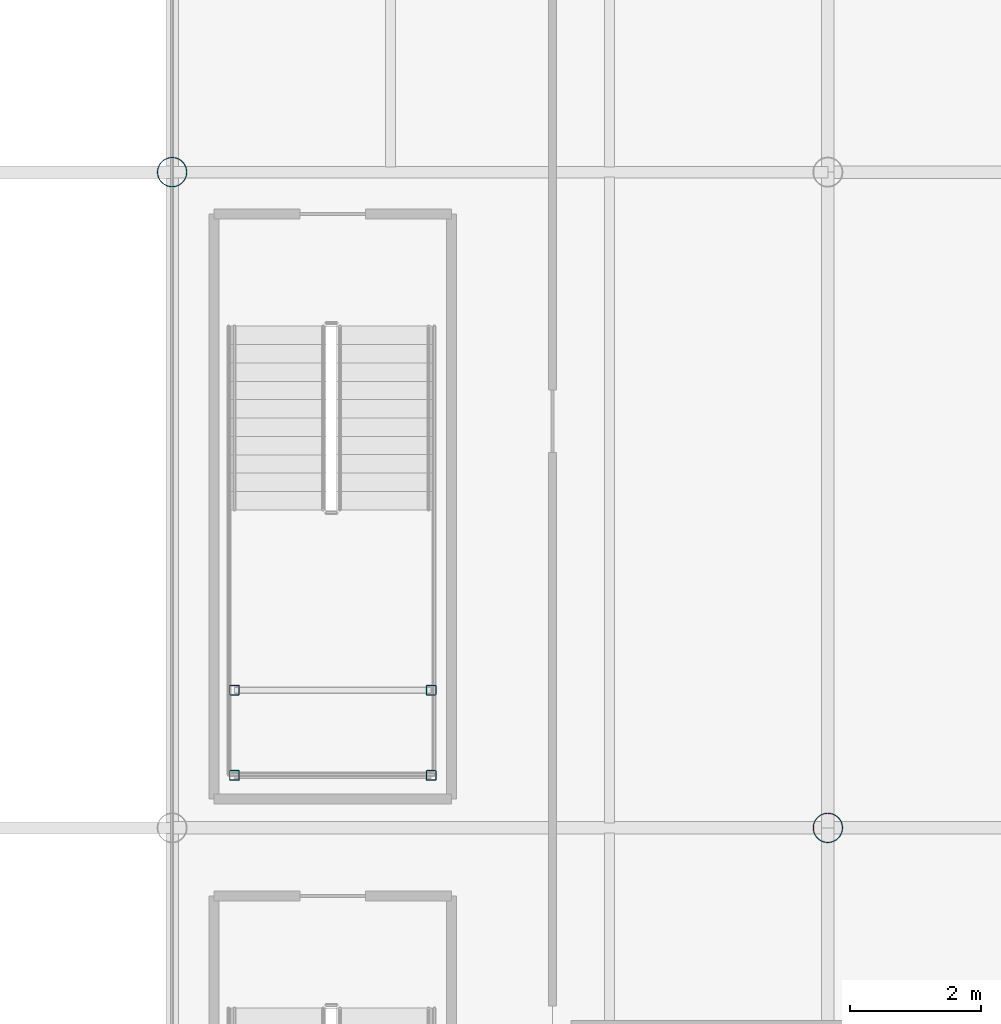
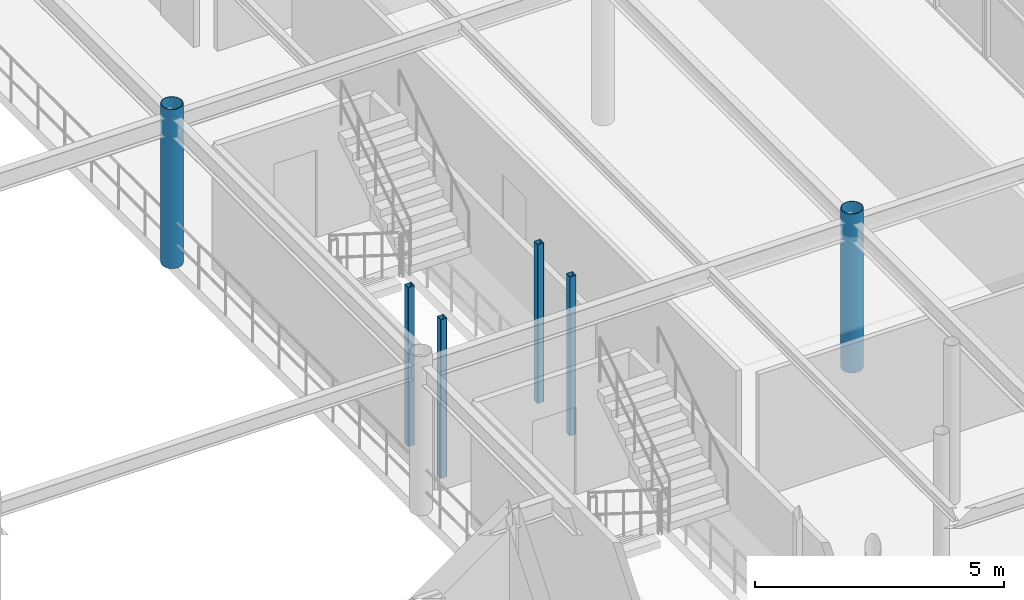
# One storey, part 29 of 98: 6 columns.
"""IFC4 building model written with IfcOpenShell, lengths in metres."""

from ifc_helpers import new_model, si_unit, derived_unit, direction, frame, origin, origin_2d_with_axis, place, context, subcontext, project, spatial, hollow_rectangle, hollow_circle, extrude, material, material_profile, profile_set, type_object, element, save


model = new_model("IFC4")

# Units and contexts
model_context = context("Model", 3, precision=1e-05, world=origin(), true_north=direction((0.0, 1.0)))
body_context = subcontext(model_context, "Body", "Model", "MODEL_VIEW")
ifc_project = project(units=[si_unit("LENGTHUNIT", "METRE"), si_unit("AREAUNIT", "SQUARE_METRE"), si_unit("VOLUMEUNIT", "CUBIC_METRE"), si_unit("PLANEANGLEUNIT", "RADIAN"), si_unit("MASSUNIT", "GRAM", prefix="KILO"), derived_unit("THERMALTRANSMITTANCEUNIT", [(si_unit("POWERUNIT", "WATT"), 1), (si_unit("LENGTHUNIT", "METRE"), -2), (si_unit("THERMODYNAMICTEMPERATUREUNIT", "KELVIN"), -1)])], contexts=[model_context])

# Site, building, storey
site_placement = place(None, origin())
site = spatial("IfcSite", under=ifc_project, at=site_placement, CompositionType="ELEMENT")
building_placement = place(site_placement, origin())
building = spatial("IfcBuilding", under=site, at=building_placement, Name="Cinnabar Yard Market Hall", CompositionType="ELEMENT")
storey_placement = place(building_placement, frame((0.0, 0.0, 4.5)))
storey = spatial("IfcBuildingStorey", under=building, at=storey_placement, Name="L01", CompositionType="ELEMENT", Elevation=4.5)

# Columns
ifc_material_1 = material(Name="Spotted-gum glulam-clad steel Grade 350 (350 MPa)", Category="steel")
ifc_material_profile_1 = material_profile(ifc_material_1, hollow_circle(Radius=0.228515625, WallThickness=0.0126953125, at=origin_2d_with_axis()), Name="457.0x12.7CHS")
ifc_profile_set_1 = profile_set([ifc_material_profile_1], Name="Spotted-gum glulam-clad steel Grade 350 (350 MPa)")
column_type_1 = type_object("IfcColumnType", Name="COL-C01", PredefinedType="COLUMN", material=ifc_profile_set_1)
for number, where, z_axis, x_axis, name in (
    (1, (146.0, 44.0, 0.0), (0.0, 0.0, 1.0), (1.0, 0.0, 0.0), "Tree Column V1I-08-03 L01"),
    (2, (156.0, 34.0, 0.0), (0.0, 0.0, 1.0), (1.0, 0.0, 0.0), "Tree Column V1I-09-02 L01"),
):
    element("IfcColumn", number, at=place(storey_placement, frame(where, z_axis=z_axis, x_axis=x_axis)), inside=storey, type_object=column_type_1, Name=name, PredefinedType="COLUMN", context=body_context, shape_type="SweptSolid", body=[
        extrude(hollow_circle(Radius=0.228515625, WallThickness=0.0126953125, at=origin_2d_with_axis()), origin(), (0.0, 0.0, 1.0), 3.89990234375),
    ])
ifc_material_2 = material(Name="Cold-formed steel C350L0", Category="steel")
ifc_material_profile_2 = material_profile(ifc_material_2, hollow_rectangle(XDim=0.14990234375, YDim=0.14990234375, WallThickness=0.006103515625, InnerFilletRadius=0.006103515625, OuterFilletRadius=0.011962890625, at=origin_2d_with_axis()), Name="150x150x6.0SHS")
ifc_profile_set_2 = profile_set([ifc_material_profile_2], Name="Cold-formed steel C350L0")
column_type_2 = type_object("IfcColumnType", Name="COL-C16", PredefinedType="COLUMN", material=ifc_profile_set_2)
for number, where, z_axis, x_axis, name in (
    (3, (146.949951171875, 34.800048828125, 0.0), (0.0, 0.0, 1.0), (1.0, 0.0, 0.0), "Feature Stair Post ST-F2-1 L01"),
    (4, (149.949951171875, 34.800048828125, 0.0), (0.0, 0.0, 1.0), (1.0, 0.0, 0.0), "Feature Stair Post ST-F2-2 L01"),
    (5, (146.949951171875, 36.10009765625, 0.0), (0.0, 0.0, 1.0), (1.0, 0.0, 0.0), "Feature Stair Post ST-F2-3 L01"),
    (6, (149.949951171875, 36.10009765625, 0.0), (0.0, 0.0, 1.0), (1.0, 0.0, 0.0), "Feature Stair Post ST-F2-4 L01"),
):
    element("IfcColumn", number, at=place(storey_placement, frame(where, z_axis=z_axis, x_axis=x_axis)), inside=storey, type_object=column_type_2, Name=name, PredefinedType="COLUMN", context=body_context, shape_type="SweptSolid", body=[
        extrude(hollow_rectangle(XDim=0.14990234375, YDim=0.14990234375, WallThickness=0.006103515625, InnerFilletRadius=0.006103515625, OuterFilletRadius=0.011962890625, at=origin_2d_with_axis()), origin(), (0.0, 0.0, 1.0), 3.89990234375),
    ])

save(model, "model.ifc")
